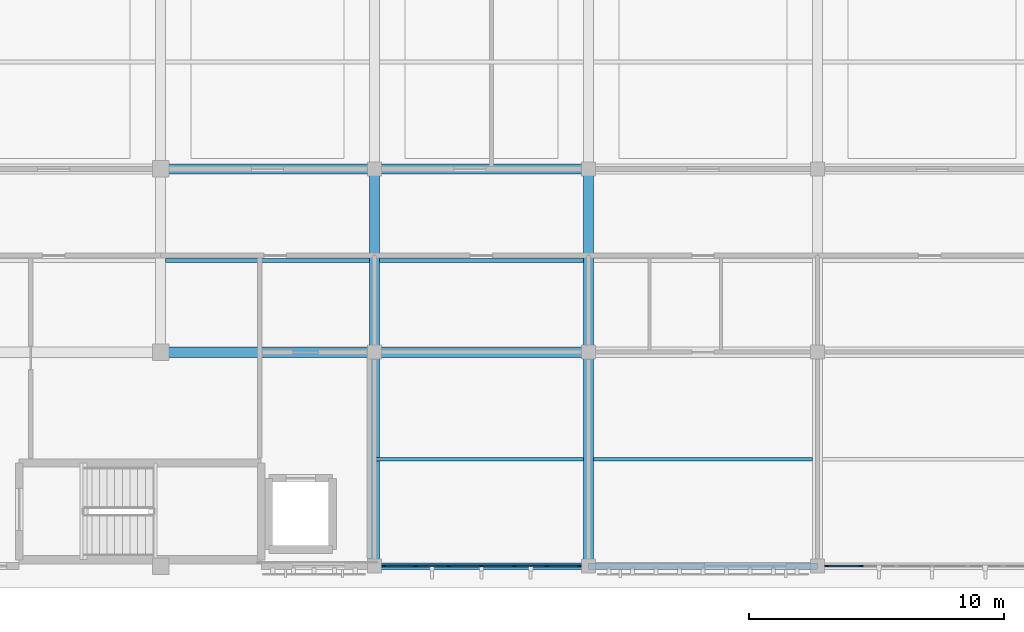
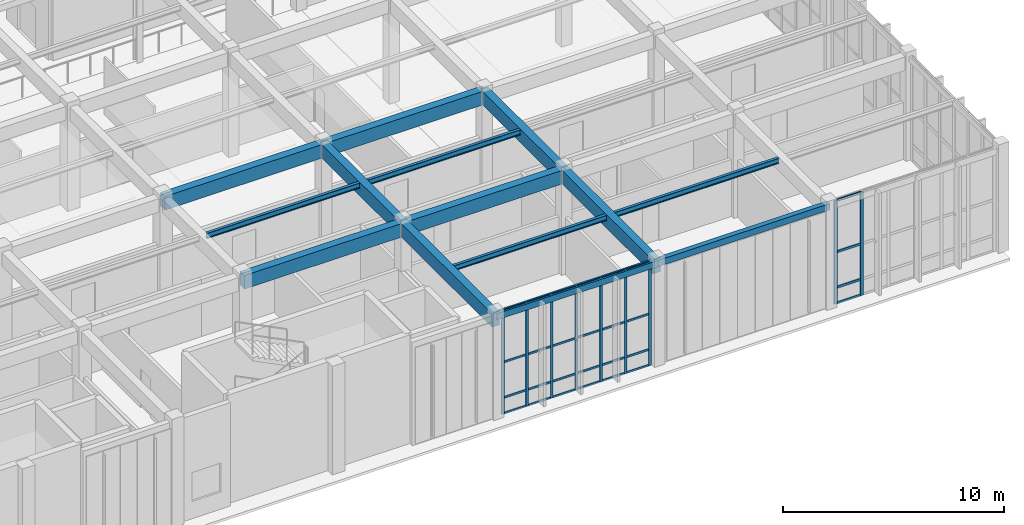
# One storey, part 19 of 105: 37 members, 14 beams, 2 elements without a shape of their own.
"""IFC4 building model written with IfcOpenShell, lengths in metres."""

from ifc_helpers import new_model, si_unit, direction, frame, origin, origin_2d, place, context, subcontext, project, spatial, rectangle, hollow_rectangle, i_section, extrude, material, material_profile, profile_set, type_object, element, aggregate, save


model = new_model("IFC4")

# Units and contexts
model_context = context("Model", 3, precision=1e-05, world=origin(), true_north=direction((0.0, 1.0)))
body_context = subcontext(model_context, "Body", "Model", "MODEL_VIEW")
ifc_project = project(units=[si_unit("LENGTHUNIT", "METRE"), si_unit("AREAUNIT", "SQUARE_METRE"), si_unit("VOLUMEUNIT", "CUBIC_METRE"), si_unit("PLANEANGLEUNIT", "RADIAN"), si_unit("MASSUNIT", "GRAM", prefix="KILO")], contexts=[model_context])

# Site, building, storey
site_placement = place(None, origin())
site = spatial("IfcSite", under=ifc_project, at=site_placement, CompositionType="ELEMENT")
building_placement = place(site_placement, origin())
building = spatial("IfcBuilding", under=site, at=building_placement, Name="Tizgana Railside Sports Hall", CompositionType="ELEMENT")
storey_placement = place(building_placement, frame((0.0, 0.0, 6.0)))
storey = spatial("IfcBuildingStorey", under=building, at=storey_placement, Name="L01", CompositionType="ELEMENT", Elevation=6.0)

# Beams
ifc_material_1 = material(Name="Concrete C35/45", Category="concrete")
ifc_material_profile_1 = material_profile(ifc_material_1, rectangle(XDim=0.39990234375, YDim=0.75, at=origin_2d()), Name="RCB 400x750")
ifc_profile_set_1 = profile_set([ifc_material_profile_1], Name="Concrete C35/45")
beam_type_1 = type_object("IfcBeamType", Name="Concrete Beam RCB 400x750", PredefinedType="BEAM", material=ifc_profile_set_1)
beam_1_placement = place(storey_placement, frame((71.39990234375, 0.0, 5.361083984375), z_axis=(0.0, 1.0, 0.0), x_axis=(-1.0, 0.0, 0.0)))
element("IfcBeam", 1, at=beam_1_placement, inside=storey, type_object=beam_type_1, Name="L01 BEM-0494", PredefinedType="BEAM", context=body_context, shape_type="SweptSolid", body=[
    extrude(rectangle(XDim=0.39990234375, YDim=0.75, at=origin_2d()), origin(), (0.0, 0.0, 1.0), 8.39990234375),
])
beam_2_placement = place(storey_placement, frame((71.39990234375, 8.39990234375, 5.361083984375), z_axis=(0.0, 1.0, 0.0), x_axis=(-1.0, 0.0, 0.0)))
element("IfcBeam", 2, at=beam_2_placement, inside=storey, type_object=beam_type_1, Name="L01 BEM-0495", PredefinedType="BEAM", context=body_context, shape_type="SweptSolid", body=[
    extrude(rectangle(XDim=0.39990234375, YDim=0.75, at=origin_2d()), origin(), (0.0, 0.0, 1.0), 7.2001953125),
])
beam_3_placement = place(storey_placement, frame((79.800048828125, 0.0, 5.361083984375), z_axis=(0.0, 1.0, 0.0), x_axis=(-1.0, 0.0, 0.0)))
element("IfcBeam", 3, at=beam_3_placement, inside=storey, type_object=beam_type_1, Name="L01 BEM-0498", PredefinedType="BEAM", context=body_context, shape_type="SweptSolid", body=[
    extrude(rectangle(XDim=0.39990234375, YDim=0.75, at=origin_2d()), origin(), (0.0, 0.0, 1.0), 8.39990234375),
])
beam_4_placement = place(storey_placement, frame((79.800048828125, 8.39990234375, 5.361083984375), z_axis=(0.0, 1.0, 0.0), x_axis=(-1.0, 0.0, 0.0)))
element("IfcBeam", 4, at=beam_4_placement, inside=storey, type_object=beam_type_1, Name="L01 BEM-0499", PredefinedType="BEAM", context=body_context, shape_type="SweptSolid", body=[
    extrude(rectangle(XDim=0.39990234375, YDim=0.75, at=origin_2d()), origin(), (0.0, 0.0, 1.0), 7.2001953125),
])
for number, where, z_axis, x_axis, name in (
    (5, (63.0, 8.39990234375, 5.361083984375), (1.0, 0.0, 0.0), (0.0, 1.0, 0.0), "L01 BEM-0563"),
    (6, (63.0, 15.60009765625, 5.361083984375), (1.0, 0.0, 0.0), (0.0, 1.0, 0.0), "L01 BEM-0564"),
):
    element("IfcBeam", number, at=place(storey_placement, frame(where, z_axis=z_axis, x_axis=x_axis)), inside=storey, type_object=beam_type_1, Name=name, PredefinedType="BEAM", context=body_context, shape_type="SweptSolid", body=[
        extrude(rectangle(XDim=0.39990234375, YDim=0.75, at=origin_2d()), origin(), (0.0, 0.0, 1.0), 8.39990234375),
    ])
for number, where, z_axis, x_axis, name in (
    (7, (71.39990234375, 8.39990234375, 5.361083984375), (1.0, 0.0, 0.0), (0.0, 1.0, 0.0), "L01 BEM-0571"),
    (8, (71.39990234375, 15.60009765625, 5.361083984375), (1.0, 0.0, 0.0), (0.0, 1.0, 0.0), "L01 BEM-0572"),
):
    element("IfcBeam", number, at=place(storey_placement, frame(where, z_axis=z_axis, x_axis=x_axis)), inside=storey, type_object=beam_type_1, Name=name, PredefinedType="BEAM", context=body_context, shape_type="SweptSolid", body=[
        extrude(rectangle(XDim=0.39990234375, YDim=0.75, at=origin_2d()), origin(), (0.0, 0.0, 1.0), 8.400146484375),
    ])

# Curtain wall, members
ifc_material_2 = material(Name="Anodised aluminium and glass", Category="aluminium")
curtain_wall_type_1 = type_object("IfcCurtainWallType", Name="Unitised Curtain Wall Studio 1400", PredefinedType="NOTDEFINED", material=ifc_material_2)
curtain_wall_1_placement = place(storey_placement, origin())
curtain_wall_1 = element("IfcCurtainWall", 9, at=curtain_wall_1_placement, inside=storey, type_object=curtain_wall_type_1, Name="L01 Curtain Wall CW-0090", PredefinedType="NOTDEFINED")
ifc_material_3 = material(Name="Anodised aluminium", Category="aluminium")
ifc_material_profile_2 = material_profile(ifc_material_3, rectangle(XDim=0.06005859375, YDim=0.139892578125, at=origin_2d()), Name="Mullion 60x140")
ifc_profile_set_2 = profile_set([ifc_material_profile_2], Name="Anodised aluminium")
member_type_1 = type_object("IfcMemberType", Name="Mullion 60x140", PredefinedType="MULLION", material=ifc_profile_set_2)
member_1_placement = place(storey_placement, frame((79.43994140625, 0.0, 0.0), z_axis=(0.0, 0.0, 1.0), x_axis=(0.0, -1.0, 0.0)))
member_1 = element("IfcMember", 10, at=member_1_placement, type_object=member_type_1, Name="CW-03 mullion 1", PredefinedType="MULLION", context=body_context, shape_type="SweptSolid", body=[
    extrude(rectangle(XDim=0.06005859375, YDim=0.139892578125, at=origin_2d()), origin(), (0.0, 0.0, 1.0), 5.719970703125),
])
member_2_placement = place(storey_placement, frame((78.179931640625, 0.0, 0.0), z_axis=(0.0, 0.0, 1.0), x_axis=(0.0, -1.0, 0.0)))
member_2 = element("IfcMember", 11, at=member_2_placement, type_object=member_type_1, Name="CW-03 mullion 2", PredefinedType="MULLION", context=body_context, shape_type="SweptSolid", body=[
    extrude(rectangle(XDim=0.06005859375, YDim=0.139892578125, at=origin_2d()), origin(), (0.0, 0.0, 1.0), 5.719970703125),
])
member_3_placement = place(storey_placement, frame((76.889892578125, 0.0, 0.0), z_axis=(0.0, 0.0, 1.0), x_axis=(0.0, -1.0, 0.0)))
member_3 = element("IfcMember", 12, at=member_3_placement, type_object=member_type_1, Name="CW-03 mullion 3", PredefinedType="MULLION", context=body_context, shape_type="SweptSolid", body=[
    extrude(rectangle(XDim=0.06005859375, YDim=0.139892578125, at=origin_2d()), origin(), (0.0, 0.0, 1.0), 5.719970703125),
])
member_4_placement = place(storey_placement, frame((75.60009765625, 0.0, 0.0), z_axis=(0.0, 0.0, 1.0), x_axis=(0.0, -1.0, 0.0)))
member_4 = element("IfcMember", 13, at=member_4_placement, type_object=member_type_1, Name="CW-03 mullion 4", PredefinedType="MULLION", context=body_context, shape_type="SweptSolid", body=[
    extrude(rectangle(XDim=0.06005859375, YDim=0.139892578125, at=origin_2d()), origin(), (0.0, 0.0, 1.0), 5.719970703125),
])
member_5_placement = place(storey_placement, frame((74.31005859375, 0.0, 0.0), z_axis=(0.0, 0.0, 1.0), x_axis=(0.0, -1.0, 0.0)))
member_5 = element("IfcMember", 14, at=member_5_placement, type_object=member_type_1, Name="CW-03 mullion 5", PredefinedType="MULLION", context=body_context, shape_type="SweptSolid", body=[
    extrude(rectangle(XDim=0.06005859375, YDim=0.139892578125, at=origin_2d()), origin(), (0.0, 0.0, 1.0), 5.719970703125),
])
member_6_placement = place(storey_placement, frame((73.02001953125, 0.0, 0.0), z_axis=(0.0, 0.0, 1.0), x_axis=(0.0, -1.0, 0.0)))
member_6 = element("IfcMember", 15, at=member_6_placement, type_object=member_type_1, Name="CW-03 mullion 6", PredefinedType="MULLION", context=body_context, shape_type="SweptSolid", body=[
    extrude(rectangle(XDim=0.06005859375, YDim=0.139892578125, at=origin_2d()), origin(), (0.0, 0.0, 1.0), 5.719970703125),
])
member_7_placement = place(storey_placement, frame((71.760009765625, 0.0, 0.0), z_axis=(0.0, 0.0, 1.0), x_axis=(0.0, -1.0, 0.0)))
member_7 = element("IfcMember", 16, at=member_7_placement, type_object=member_type_1, Name="CW-03 mullion 7", PredefinedType="MULLION", context=body_context, shape_type="SweptSolid", body=[
    extrude(rectangle(XDim=0.06005859375, YDim=0.139892578125, at=origin_2d()), origin(), (0.0, 0.0, 1.0), 5.719970703125),
])

curtain_wall_type_2 = type_object("IfcCurtainWallType", Name="Unitised Curtain Wall Climbing 1600", PredefinedType="NOTDEFINED", material=ifc_material_2)
curtain_wall_2_placement = place(storey_placement, origin())
curtain_wall_2 = element("IfcCurtainWall", 17, at=curtain_wall_2_placement, inside=storey, type_object=curtain_wall_type_2, Name="L01 Curtain Wall CW-0091", PredefinedType="NOTDEFINED")
ifc_material_profile_3 = material_profile(ifc_material_3, rectangle(XDim=0.06005859375, YDim=0.159912109375, at=origin_2d()), Name="Mullion 60x160")
ifc_profile_set_3 = profile_set([ifc_material_profile_3], Name="Anodised aluminium")
member_type_2 = type_object("IfcMemberType", Name="Mullion 60x160", PredefinedType="MULLION", material=ifc_profile_set_3)
member_8_placement = place(storey_placement, frame((90.52001953125, 0.0, 0.0), z_axis=(0.0, 0.0, 1.0), x_axis=(0.0, -1.0, 0.0)))
member_8 = element("IfcMember", 18, at=member_8_placement, type_object=member_type_2, Name="CW-04 mullion 6", PredefinedType="MULLION", context=body_context, shape_type="SweptSolid", body=[
    extrude(rectangle(XDim=0.06005859375, YDim=0.159912109375, at=origin_2d()), origin(), (0.0, 0.0, 1.0), 5.719970703125),
])
member_9_placement = place(storey_placement, frame((89.159912109375, 0.0, 0.0), z_axis=(0.0, 0.0, 1.0), x_axis=(0.0, -1.0, 0.0)))
member_9 = element("IfcMember", 19, at=member_9_placement, type_object=member_type_2, Name="CW-04 mullion 7", PredefinedType="MULLION", context=body_context, shape_type="SweptSolid", body=[
    extrude(rectangle(XDim=0.06005859375, YDim=0.159912109375, at=origin_2d()), origin(), (0.0, 0.0, 1.0), 5.719970703125),
])

# Beams
ifc_material_4 = material(Name="Steel S355J2", Category="steel")
ifc_material_profile_4 = material_profile(ifc_material_4, i_section(OverallWidth=0.14990234375, OverallDepth=0.300048828125, WebThickness=0.007080078125, FlangeThickness=0.0107421875, FilletRadius=0.014892578125, at=origin_2d()), Name="IPE 300")
ifc_profile_set_4 = profile_set([ifc_material_profile_4], Name="Steel S355J2")
beam_type_2 = type_object("IfcBeamType", Name="Steel Joist IPE 300", PredefinedType="JOIST", material=ifc_profile_set_4)
beam_5_placement = place(storey_placement, frame((63.195068359375, 12.0, 5.5859375), z_axis=(1.0, 0.0, 0.0), x_axis=(0.0, 1.0, 0.0)))
element("IfcBeam", 20, at=beam_5_placement, inside=storey, type_object=beam_type_2, Name="L01 BEM-0567", PredefinedType="JOIST", context=body_context, shape_type="SweptSolid", body=[
    extrude(i_section(OverallWidth=0.14990234375, OverallDepth=0.300048828125, WebThickness=0.007080078125, FlangeThickness=0.0107421875, FilletRadius=0.014892578125, at=origin_2d()), origin(), (0.0, 0.0, 1.0), 8.010009765625),
])
beam_6_placement = place(storey_placement, frame((71.39990234375, 4.199951171875, 5.5859375), z_axis=(1.0, 0.0, 0.0), x_axis=(0.0, 1.0, 0.0)))
element("IfcBeam", 21, at=beam_6_placement, inside=storey, type_object=beam_type_2, Name="L01 BEM-0575", PredefinedType="JOIST", context=body_context, shape_type="SweptSolid", body=[
    extrude(i_section(OverallWidth=0.14990234375, OverallDepth=0.300048828125, WebThickness=0.007080078125, FlangeThickness=0.0107421875, FilletRadius=0.014892578125, at=origin_2d()), origin(), (0.0, 0.0, 1.0), 8.205078125),
])
beam_7_placement = place(storey_placement, frame((71.594970703125, 12.0, 5.5859375), z_axis=(1.0, 0.0, 0.0), x_axis=(0.0, 1.0, 0.0)))
element("IfcBeam", 22, at=beam_7_placement, inside=storey, type_object=beam_type_2, Name="L01 BEM-0576", PredefinedType="JOIST", context=body_context, shape_type="SweptSolid", body=[
    extrude(i_section(OverallWidth=0.14990234375, OverallDepth=0.300048828125, WebThickness=0.007080078125, FlangeThickness=0.0107421875, FilletRadius=0.014892578125, at=origin_2d()), origin(), (0.0, 0.0, 1.0), 8.010009765625),
])
beam_8_placement = place(storey_placement, frame((79.9951171875, 4.199951171875, 5.5859375), z_axis=(1.0, 0.0, 0.0), x_axis=(0.0, 1.0, 0.0)))
element("IfcBeam", 23, at=beam_8_placement, inside=storey, type_object=beam_type_2, Name="L01 BEM-0584", PredefinedType="JOIST", context=body_context, shape_type="SweptSolid", body=[
    extrude(i_section(OverallWidth=0.14990234375, OverallDepth=0.300048828125, WebThickness=0.007080078125, FlangeThickness=0.0107421875, FilletRadius=0.014892578125, at=origin_2d()), origin(), (0.0, 0.0, 1.0), 8.60986328125),
])
ifc_material_profile_5 = material_profile(ifc_material_4, hollow_rectangle(XDim=0.25, YDim=0.35009765625, WallThickness=0.011962890625, at=origin_2d()), Name="RHS 350x250x12")
ifc_profile_set_5 = profile_set([ifc_material_profile_5], Name="Steel S355J2")
beam_type_3 = type_object("IfcBeamType", Name="Steel Spandrel RHS 350x250x12", PredefinedType="SPANDREL", material=ifc_profile_set_5)
beam_9_placement = place(storey_placement, frame((71.39990234375, 0.0, 5.56103515625), z_axis=(1.0, 0.0, 0.0), x_axis=(0.0, 1.0, 0.0)))
element("IfcBeam", 24, at=beam_9_placement, inside=storey, type_object=beam_type_3, Name="L01 BEM-0570", PredefinedType="SPANDREL", context=body_context, shape_type="SweptSolid", body=[
    extrude(hollow_rectangle(XDim=0.25, YDim=0.35009765625, WallThickness=0.011962890625, at=origin_2d()), origin(), (0.0, 0.0, 1.0), 8.400146484375),
])
beam_10_placement = place(storey_placement, frame((79.800048828125, 0.0, 5.56103515625), z_axis=(1.0, 0.0, 0.0), x_axis=(0.0, 1.0, 0.0)))
element("IfcBeam", 25, at=beam_10_placement, inside=storey, type_object=beam_type_3, Name="L01 BEM-0579", PredefinedType="SPANDREL", context=body_context, shape_type="SweptSolid", body=[
    extrude(hollow_rectangle(XDim=0.25, YDim=0.35009765625, WallThickness=0.011962890625, at=origin_2d()), origin(), (0.0, 0.0, 1.0), 9.0),
])

# Member
ifc_material_profile_6 = material_profile(ifc_material_3, rectangle(XDim=0.06005859375, YDim=0.110107421875, at=origin_2d()), Name="Transom 60x110")
ifc_profile_set_6 = profile_set([ifc_material_profile_6], Name="Anodised aluminium")
member_type_3 = type_object("IfcMemberType", Name="Transom 60x110", PredefinedType="USERDEFINED", material=ifc_profile_set_6)
member_10_placement = place(storey_placement, frame((79.409912109375, 0.0, 0.030029296875), z_axis=(-1.0, 0.0, 0.0), x_axis=(0.0, -1.0, 0.0)))
member_10 = element("IfcMember", 26, at=member_10_placement, type_object=member_type_3, Name="CW-03 transom 1.1", ObjectType="TRANSOM", PredefinedType="USERDEFINED", context=body_context, shape_type="SweptSolid", body=[
    extrude(rectangle(XDim=0.06005859375, YDim=0.110107421875, at=origin_2d()), origin(), (0.0, 0.0, 1.0), 1.199951171875),
])

member_11_placement = place(storey_placement, frame((79.409912109375, 0.0, 0.89990234375), z_axis=(-1.0, 0.0, 0.0), x_axis=(0.0, -1.0, 0.0)))
member_11 = element("IfcMember", 27, at=member_11_placement, type_object=member_type_3, Name="CW-03 transom 1.2", ObjectType="TRANSOM", PredefinedType="USERDEFINED", context=body_context, shape_type="SweptSolid", body=[
    extrude(rectangle(XDim=0.06005859375, YDim=0.110107421875, at=origin_2d()), origin(), (0.0, 0.0, 1.0), 1.199951171875),
])

member_12_placement = place(storey_placement, frame((79.409912109375, 0.0, 2.860107421875), z_axis=(-1.0, 0.0, 0.0), x_axis=(0.0, -1.0, 0.0)))
member_12 = element("IfcMember", 28, at=member_12_placement, type_object=member_type_3, Name="CW-03 transom 1.3", ObjectType="TRANSOM", PredefinedType="USERDEFINED", context=body_context, shape_type="SweptSolid", body=[
    extrude(rectangle(XDim=0.06005859375, YDim=0.110107421875, at=origin_2d()), origin(), (0.0, 0.0, 1.0), 1.199951171875),
])

member_13_placement = place(storey_placement, frame((79.409912109375, 0.0, 5.68994140625), z_axis=(-1.0, 0.0, 0.0), x_axis=(0.0, -1.0, 0.0)))
member_13 = element("IfcMember", 29, at=member_13_placement, type_object=member_type_3, Name="CW-03 transom 1.4", ObjectType="TRANSOM", PredefinedType="USERDEFINED", context=body_context, shape_type="SweptSolid", body=[
    extrude(rectangle(XDim=0.06005859375, YDim=0.110107421875, at=origin_2d()), origin(), (0.0, 0.0, 1.0), 1.199951171875),
])

member_14_placement = place(storey_placement, frame((78.14990234375, 0.0, 0.030029296875), z_axis=(-1.0, 0.0, 0.0), x_axis=(0.0, -1.0, 0.0)))
member_14 = element("IfcMember", 30, at=member_14_placement, type_object=member_type_3, Name="CW-03 transom 2.1", ObjectType="TRANSOM", PredefinedType="USERDEFINED", context=body_context, shape_type="SweptSolid", body=[
    extrude(rectangle(XDim=0.06005859375, YDim=0.110107421875, at=origin_2d()), origin(), (0.0, 0.0, 1.0), 1.22998046875),
])

member_15_placement = place(storey_placement, frame((78.14990234375, 0.0, 0.89990234375), z_axis=(-1.0, 0.0, 0.0), x_axis=(0.0, -1.0, 0.0)))
member_15 = element("IfcMember", 31, at=member_15_placement, type_object=member_type_3, Name="CW-03 transom 2.2", ObjectType="TRANSOM", PredefinedType="USERDEFINED", context=body_context, shape_type="SweptSolid", body=[
    extrude(rectangle(XDim=0.06005859375, YDim=0.110107421875, at=origin_2d()), origin(), (0.0, 0.0, 1.0), 1.22998046875),
])

member_16_placement = place(storey_placement, frame((78.14990234375, 0.0, 2.860107421875), z_axis=(-1.0, 0.0, 0.0), x_axis=(0.0, -1.0, 0.0)))
member_16 = element("IfcMember", 32, at=member_16_placement, type_object=member_type_3, Name="CW-03 transom 2.3", ObjectType="TRANSOM", PredefinedType="USERDEFINED", context=body_context, shape_type="SweptSolid", body=[
    extrude(rectangle(XDim=0.06005859375, YDim=0.110107421875, at=origin_2d()), origin(), (0.0, 0.0, 1.0), 1.22998046875),
])

member_17_placement = place(storey_placement, frame((78.14990234375, 0.0, 5.68994140625), z_axis=(-1.0, 0.0, 0.0), x_axis=(0.0, -1.0, 0.0)))
member_17 = element("IfcMember", 33, at=member_17_placement, type_object=member_type_3, Name="CW-03 transom 2.4", ObjectType="TRANSOM", PredefinedType="USERDEFINED", context=body_context, shape_type="SweptSolid", body=[
    extrude(rectangle(XDim=0.06005859375, YDim=0.110107421875, at=origin_2d()), origin(), (0.0, 0.0, 1.0), 1.22998046875),
])

member_18_placement = place(storey_placement, frame((76.860107421875, 0.0, 0.030029296875), z_axis=(-1.0, 0.0, 0.0), x_axis=(0.0, -1.0, 0.0)))
member_18 = element("IfcMember", 34, at=member_18_placement, type_object=member_type_3, Name="CW-03 transom 3.1", ObjectType="TRANSOM", PredefinedType="USERDEFINED", context=body_context, shape_type="SweptSolid", body=[
    extrude(rectangle(XDim=0.06005859375, YDim=0.110107421875, at=origin_2d()), origin(), (0.0, 0.0, 1.0), 1.230224609375),
])

member_19_placement = place(storey_placement, frame((76.860107421875, 0.0, 0.89990234375), z_axis=(-1.0, 0.0, 0.0), x_axis=(0.0, -1.0, 0.0)))
member_19 = element("IfcMember", 35, at=member_19_placement, type_object=member_type_3, Name="CW-03 transom 3.2", ObjectType="TRANSOM", PredefinedType="USERDEFINED", context=body_context, shape_type="SweptSolid", body=[
    extrude(rectangle(XDim=0.06005859375, YDim=0.110107421875, at=origin_2d()), origin(), (0.0, 0.0, 1.0), 1.230224609375),
])

member_20_placement = place(storey_placement, frame((76.860107421875, 0.0, 2.860107421875), z_axis=(-1.0, 0.0, 0.0), x_axis=(0.0, -1.0, 0.0)))
member_20 = element("IfcMember", 36, at=member_20_placement, type_object=member_type_3, Name="CW-03 transom 3.3", ObjectType="TRANSOM", PredefinedType="USERDEFINED", context=body_context, shape_type="SweptSolid", body=[
    extrude(rectangle(XDim=0.06005859375, YDim=0.110107421875, at=origin_2d()), origin(), (0.0, 0.0, 1.0), 1.230224609375),
])

member_21_placement = place(storey_placement, frame((76.860107421875, 0.0, 5.68994140625), z_axis=(-1.0, 0.0, 0.0), x_axis=(0.0, -1.0, 0.0)))
member_21 = element("IfcMember", 37, at=member_21_placement, type_object=member_type_3, Name="CW-03 transom 3.4", ObjectType="TRANSOM", PredefinedType="USERDEFINED", context=body_context, shape_type="SweptSolid", body=[
    extrude(rectangle(XDim=0.06005859375, YDim=0.110107421875, at=origin_2d()), origin(), (0.0, 0.0, 1.0), 1.230224609375),
])

member_22_placement = place(storey_placement, frame((75.570068359375, 0.0, 0.030029296875), z_axis=(-1.0, 0.0, 0.0), x_axis=(0.0, -1.0, 0.0)))
member_22 = element("IfcMember", 38, at=member_22_placement, type_object=member_type_3, Name="CW-03 transom 4.1", ObjectType="TRANSOM", PredefinedType="USERDEFINED", context=body_context, shape_type="SweptSolid", body=[
    extrude(rectangle(XDim=0.06005859375, YDim=0.110107421875, at=origin_2d()), origin(), (0.0, 0.0, 1.0), 1.22998046875),
])

member_23_placement = place(storey_placement, frame((75.570068359375, 0.0, 0.89990234375), z_axis=(-1.0, 0.0, 0.0), x_axis=(0.0, -1.0, 0.0)))
member_23 = element("IfcMember", 39, at=member_23_placement, type_object=member_type_3, Name="CW-03 transom 4.2", ObjectType="TRANSOM", PredefinedType="USERDEFINED", context=body_context, shape_type="SweptSolid", body=[
    extrude(rectangle(XDim=0.06005859375, YDim=0.110107421875, at=origin_2d()), origin(), (0.0, 0.0, 1.0), 1.22998046875),
])

member_24_placement = place(storey_placement, frame((75.570068359375, 0.0, 2.860107421875), z_axis=(-1.0, 0.0, 0.0), x_axis=(0.0, -1.0, 0.0)))
member_24 = element("IfcMember", 40, at=member_24_placement, type_object=member_type_3, Name="CW-03 transom 4.3", ObjectType="TRANSOM", PredefinedType="USERDEFINED", context=body_context, shape_type="SweptSolid", body=[
    extrude(rectangle(XDim=0.06005859375, YDim=0.110107421875, at=origin_2d()), origin(), (0.0, 0.0, 1.0), 1.22998046875),
])

member_25_placement = place(storey_placement, frame((75.570068359375, 0.0, 5.68994140625), z_axis=(-1.0, 0.0, 0.0), x_axis=(0.0, -1.0, 0.0)))
member_25 = element("IfcMember", 41, at=member_25_placement, type_object=member_type_3, Name="CW-03 transom 4.4", ObjectType="TRANSOM", PredefinedType="USERDEFINED", context=body_context, shape_type="SweptSolid", body=[
    extrude(rectangle(XDim=0.06005859375, YDim=0.110107421875, at=origin_2d()), origin(), (0.0, 0.0, 1.0), 1.22998046875),
])

member_26_placement = place(storey_placement, frame((74.280029296875, 0.0, 0.030029296875), z_axis=(-1.0, 0.0, 0.0), x_axis=(0.0, -1.0, 0.0)))
member_26 = element("IfcMember", 42, at=member_26_placement, type_object=member_type_3, Name="CW-03 transom 5.1", ObjectType="TRANSOM", PredefinedType="USERDEFINED", context=body_context, shape_type="SweptSolid", body=[
    extrude(rectangle(XDim=0.06005859375, YDim=0.110107421875, at=origin_2d()), origin(), (0.0, 0.0, 1.0), 1.22998046875),
])

member_27_placement = place(storey_placement, frame((74.280029296875, 0.0, 0.89990234375), z_axis=(-1.0, 0.0, 0.0), x_axis=(0.0, -1.0, 0.0)))
member_27 = element("IfcMember", 43, at=member_27_placement, type_object=member_type_3, Name="CW-03 transom 5.2", ObjectType="TRANSOM", PredefinedType="USERDEFINED", context=body_context, shape_type="SweptSolid", body=[
    extrude(rectangle(XDim=0.06005859375, YDim=0.110107421875, at=origin_2d()), origin(), (0.0, 0.0, 1.0), 1.22998046875),
])

member_28_placement = place(storey_placement, frame((74.280029296875, 0.0, 2.860107421875), z_axis=(-1.0, 0.0, 0.0), x_axis=(0.0, -1.0, 0.0)))
member_28 = element("IfcMember", 44, at=member_28_placement, type_object=member_type_3, Name="CW-03 transom 5.3", ObjectType="TRANSOM", PredefinedType="USERDEFINED", context=body_context, shape_type="SweptSolid", body=[
    extrude(rectangle(XDim=0.06005859375, YDim=0.110107421875, at=origin_2d()), origin(), (0.0, 0.0, 1.0), 1.22998046875),
])

member_29_placement = place(storey_placement, frame((74.280029296875, 0.0, 5.68994140625), z_axis=(-1.0, 0.0, 0.0), x_axis=(0.0, -1.0, 0.0)))
member_29 = element("IfcMember", 45, at=member_29_placement, type_object=member_type_3, Name="CW-03 transom 5.4", ObjectType="TRANSOM", PredefinedType="USERDEFINED", context=body_context, shape_type="SweptSolid", body=[
    extrude(rectangle(XDim=0.06005859375, YDim=0.110107421875, at=origin_2d()), origin(), (0.0, 0.0, 1.0), 1.22998046875),
])

member_30_placement = place(storey_placement, frame((72.989990234375, 0.0, 0.030029296875), z_axis=(-1.0, 0.0, 0.0), x_axis=(0.0, -1.0, 0.0)))
member_30 = element("IfcMember", 46, at=member_30_placement, type_object=member_type_3, Name="CW-03 transom 6.1", ObjectType="TRANSOM", PredefinedType="USERDEFINED", context=body_context, shape_type="SweptSolid", body=[
    extrude(rectangle(XDim=0.06005859375, YDim=0.110107421875, at=origin_2d()), origin(), (0.0, 0.0, 1.0), 1.199951171875),
])

member_31_placement = place(storey_placement, frame((72.989990234375, 0.0, 0.89990234375), z_axis=(-1.0, 0.0, 0.0), x_axis=(0.0, -1.0, 0.0)))
member_31 = element("IfcMember", 47, at=member_31_placement, type_object=member_type_3, Name="CW-03 transom 6.2", ObjectType="TRANSOM", PredefinedType="USERDEFINED", context=body_context, shape_type="SweptSolid", body=[
    extrude(rectangle(XDim=0.06005859375, YDim=0.110107421875, at=origin_2d()), origin(), (0.0, 0.0, 1.0), 1.199951171875),
])

member_32_placement = place(storey_placement, frame((72.989990234375, 0.0, 2.860107421875), z_axis=(-1.0, 0.0, 0.0), x_axis=(0.0, -1.0, 0.0)))
member_32 = element("IfcMember", 48, at=member_32_placement, type_object=member_type_3, Name="CW-03 transom 6.3", ObjectType="TRANSOM", PredefinedType="USERDEFINED", context=body_context, shape_type="SweptSolid", body=[
    extrude(rectangle(XDim=0.06005859375, YDim=0.110107421875, at=origin_2d()), origin(), (0.0, 0.0, 1.0), 1.199951171875),
])

member_33_placement = place(storey_placement, frame((72.989990234375, 0.0, 5.68994140625), z_axis=(-1.0, 0.0, 0.0), x_axis=(0.0, -1.0, 0.0)))
member_33 = element("IfcMember", 49, at=member_33_placement, type_object=member_type_3, Name="CW-03 transom 6.4", ObjectType="TRANSOM", PredefinedType="USERDEFINED", context=body_context, shape_type="SweptSolid", body=[
    extrude(rectangle(XDim=0.06005859375, YDim=0.110107421875, at=origin_2d()), origin(), (0.0, 0.0, 1.0), 1.199951171875),
])

aggregate(curtain_wall_1, [member_1, member_2, member_3, member_4, member_5, member_6, member_7, member_10, member_11, member_12, member_13, member_14, member_15, member_16, member_17, member_18, member_19, member_20, member_21, member_22, member_23, member_24, member_25, member_26, member_27, member_28, member_29, member_30, member_31, member_32, member_33])

ifc_material_profile_7 = material_profile(ifc_material_3, rectangle(XDim=0.06005859375, YDim=0.1298828125, at=origin_2d()), Name="Transom 60x130")
ifc_profile_set_7 = profile_set([ifc_material_profile_7], Name="Anodised aluminium")
member_type_4 = type_object("IfcMemberType", Name="Transom 60x130", PredefinedType="USERDEFINED", material=ifc_profile_set_7)
member_34_placement = place(storey_placement, frame((90.489990234375, 0.0, 0.030029296875), z_axis=(-1.0, 0.0, 0.0), x_axis=(0.0, -1.0, 0.0)))
member_34 = element("IfcMember", 50, at=member_34_placement, type_object=member_type_4, Name="CW-04 transom 6.1", ObjectType="TRANSOM", PredefinedType="USERDEFINED", context=body_context, shape_type="SweptSolid", body=[
    extrude(rectangle(XDim=0.06005859375, YDim=0.1298828125, at=origin_2d()), origin(), (0.0, 0.0, 1.0), 1.300048828125),
])

member_35_placement = place(storey_placement, frame((90.489990234375, 0.0, 0.89990234375), z_axis=(-1.0, 0.0, 0.0), x_axis=(0.0, -1.0, 0.0)))
member_35 = element("IfcMember", 51, at=member_35_placement, type_object=member_type_4, Name="CW-04 transom 6.2", ObjectType="TRANSOM", PredefinedType="USERDEFINED", context=body_context, shape_type="SweptSolid", body=[
    extrude(rectangle(XDim=0.06005859375, YDim=0.1298828125, at=origin_2d()), origin(), (0.0, 0.0, 1.0), 1.300048828125),
])

member_36_placement = place(storey_placement, frame((90.489990234375, 0.0, 2.860107421875), z_axis=(-1.0, 0.0, 0.0), x_axis=(0.0, -1.0, 0.0)))
member_36 = element("IfcMember", 52, at=member_36_placement, type_object=member_type_4, Name="CW-04 transom 6.3", ObjectType="TRANSOM", PredefinedType="USERDEFINED", context=body_context, shape_type="SweptSolid", body=[
    extrude(rectangle(XDim=0.06005859375, YDim=0.1298828125, at=origin_2d()), origin(), (0.0, 0.0, 1.0), 1.300048828125),
])

member_37_placement = place(storey_placement, frame((90.489990234375, 0.0, 5.68994140625), z_axis=(-1.0, 0.0, 0.0), x_axis=(0.0, -1.0, 0.0)))
member_37 = element("IfcMember", 53, at=member_37_placement, type_object=member_type_4, Name="CW-04 transom 6.4", ObjectType="TRANSOM", PredefinedType="USERDEFINED", context=body_context, shape_type="SweptSolid", body=[
    extrude(rectangle(XDim=0.06005859375, YDim=0.1298828125, at=origin_2d()), origin(), (0.0, 0.0, 1.0), 1.300048828125),
])

aggregate(curtain_wall_2, [member_8, member_9, member_34, member_35, member_36, member_37])

save(model, "model.ifc")
